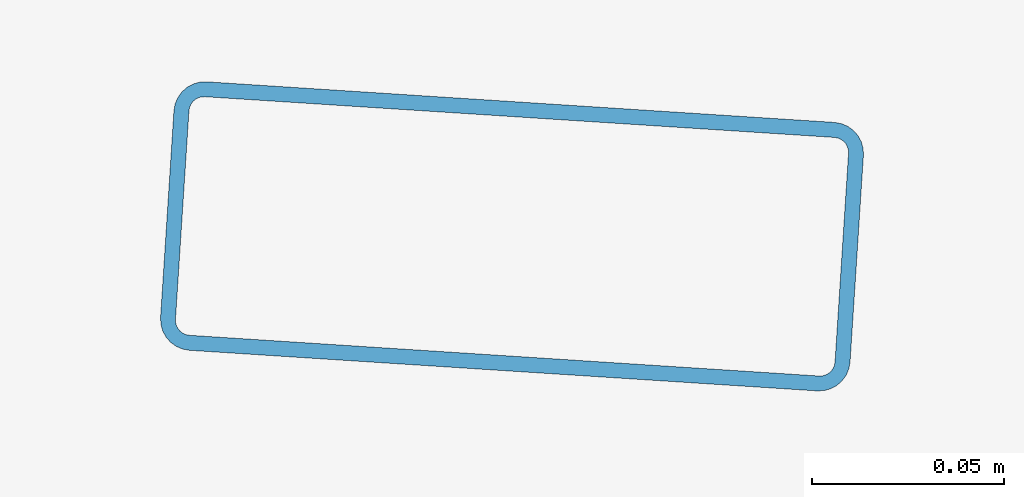
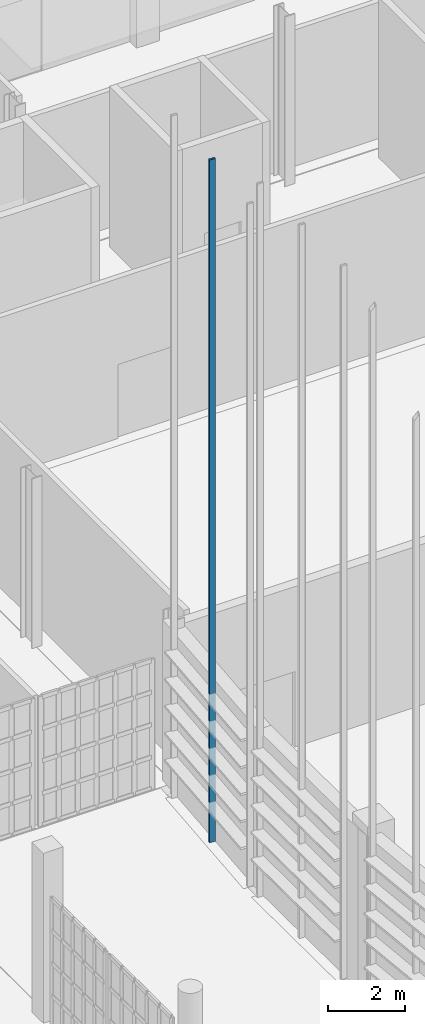
# One storey, part 96 of 372: 1 member.
"""IFC4 building model written with IfcOpenShell, lengths in metres."""

import ifcopenshell
import ifcopenshell.guid

model = None  # the IFC model being written
_history = None  # IfcOwnerHistory: only IFC2X3 demands one
_inside = {}  # id of a spatial element -> (the spatial element, [elements in it])
_under = {}  # id of a project, library or spatial element -> (it, [spatial elements below it])
_declared = {}  # id of a project -> (the project, [libraries it declares])
_typed = {}  # id of a type object -> (the type object, [elements of that type])
_made_of = {}  # id of a material, layer set ... -> (it, [elements and type objects made of it])


def new_model(schema):
    """Start an empty IFC model of exactly this schema.

    Asked for "IFC4X3", IfcOpenShell would pick the latest addendum, in which some entities
    have other attributes; the version numbers below select the first issue.
    IFC2X3 requires an IfcOwnerHistory on every rooted entity: one is made here for all.
    """
    global model, _history
    if schema == "IFC4X3":
        model = ifcopenshell.file(schema_version=(4, 3, 0, 0))
    else:
        model = ifcopenshell.file(schema=schema)
    _inside.clear()
    _under.clear()
    _declared.clear()
    _typed.clear()
    _made_of.clear()
    _history = None
    if model.schema == "IFC2X3":
        org = make("IfcOrganization", Name="unknown")
        user = make(
            "IfcPersonAndOrganization",
            ThePerson=make("IfcPerson", FamilyName="unknown"),
            TheOrganization=org,
        )
        app = make(
            "IfcApplication",
            ApplicationDeveloper=org,
            Version="unknown",
            ApplicationFullName="unknown",
            ApplicationIdentifier="unknown",
        )
        _history = make(
            "IfcOwnerHistory",
            OwningUser=user,
            OwningApplication=app,
            ChangeAction="ADDED",
            CreationDate=0,
        )
    return model


def make(cls, **values):
    """One entity of the class cls with the attributes given. An attribute that is None is left unset."""
    return model.create_entity(
        cls, **{name: value for name, value in values.items() if value is not None}
    )


def rooted(cls, **values):
    """An entity with a GlobalId (a new one), such as an element, a storey or a relation."""
    return make(cls, GlobalId=ifcopenshell.guid.new(), OwnerHistory=_history, **values)


def si_unit(unit_type, name, prefix=None):
    """IfcSIUnit, for example si_unit("LENGTHUNIT", "METRE", prefix="MILLI")."""
    return make("IfcSIUnit", UnitType=unit_type, Prefix=prefix, Name=name)


def assignment(units):
    """IfcUnitAssignment: the units of a project."""
    return None if units is None else make("IfcUnitAssignment", Units=units)


def point(xyz):
    """IfcCartesianPoint."""
    return None if xyz is None else make("IfcCartesianPoint", Coordinates=xyz)


def direction(xyz):
    """IfcDirection."""
    return None if xyz is None else make("IfcDirection", DirectionRatios=xyz)


def frame(location, z_axis=None, x_axis=None):
    """IfcAxis2Placement3D, a coordinate frame: its origin and axes. An axis left out is left unset."""
    return make(
        "IfcAxis2Placement3D",
        Location=point(location),
        Axis=direction(z_axis),
        RefDirection=direction(x_axis),
    )


def frame_2d(location, x_axis=None):
    """IfcAxis2Placement2D, a coordinate frame in the plane: its origin and x axis."""
    return make(
        "IfcAxis2Placement2D", Location=point(location), RefDirection=direction(x_axis)
    )


def origin():
    """The frame at (0, 0, 0) with its axes left unset."""
    return frame((0.0, 0.0, 0.0))


def origin_2d():
    """The frame at (0, 0) in the plane with its x axis left unset."""
    return frame_2d((0.0, 0.0))


def place(relative_to, where):
    """IfcLocalPlacement: puts the frame where relative to a parent placement (None: the world)."""
    return make(
        "IfcLocalPlacement", PlacementRelTo=relative_to, RelativePlacement=where
    )


def context(
    kind, dimensions, precision=None, world=None, true_north=None, identifier=None
):
    """IfcGeometricRepresentationContext, for example the 3D "Model" context."""
    return make(
        "IfcGeometricRepresentationContext",
        ContextIdentifier=identifier,
        ContextType=kind,
        CoordinateSpaceDimension=dimensions,
        Precision=precision,
        WorldCoordinateSystem=world,
        TrueNorth=true_north,
    )


def subcontext(parent, identifier, kind, view, scale=None):
    """IfcGeometricRepresentationSubContext, for example "Body" below "Model"."""
    return make(
        "IfcGeometricRepresentationSubContext",
        ContextIdentifier=identifier,
        ContextType=kind,
        ParentContext=parent,
        TargetScale=scale,
        TargetView=view,
    )


def project(units=None, contexts=None):
    """IfcProject with its units and contexts."""
    return rooted(
        "IfcProject",
        Name="project",
        RepresentationContexts=contexts,
        UnitsInContext=assignment(units),
    )


def spatial(cls, under=None, at=None, **own):
    """A site, building, storey or space (cls), placed at a placement, below another one or the project."""
    s = rooted(cls, ObjectPlacement=at, **own)
    if under is not None:
        _under.setdefault(under.id(), (under, []))[1].append(s)
    return s


def profile(cls, at=None, kind="AREA", **sizes):
    """A parametric profile (cls). Its sizes go by their IFC names, for example OverallWidth=200.0."""
    return make(cls, ProfileType=kind, Position=at, **sizes)


def hollow_rectangle(**sizes):
    """IfcRectangleHollowProfileDef."""
    return profile("IfcRectangleHollowProfileDef", **sizes)


def extrude(swept, where, along, depth):
    """IfcExtrudedAreaSolid: the profile swept, set in the frame where, extruded along a direction by depth."""
    return make(
        "IfcExtrudedAreaSolid",
        SweptArea=swept,
        Position=where,
        ExtrudedDirection=direction(along),
        Depth=depth,
    )


def shape(context_of_items, identifier, shape_type, items):
    """IfcShapeRepresentation: the items that make up one representation, for example the "Body"."""
    return make(
        "IfcShapeRepresentation",
        ContextOfItems=context_of_items,
        RepresentationIdentifier=identifier,
        RepresentationType=shape_type,
        Items=items,
    )


def material(Name=None, Category=None):
    """IfcMaterial."""
    return make("IfcMaterial", Name=Name, Category=Category)


def material_profile(
    of_material, cross_section, Name=None, Category=None, Priority=None
):
    """IfcMaterialProfile: a cross section and its material."""
    return make(
        "IfcMaterialProfile",
        Name=Name,
        Material=of_material,
        Profile=cross_section,
        Priority=Priority,
        Category=Category,
    )


def profile_set(profiles, Name=None, composite=None):
    """IfcMaterialProfileSet."""
    return make(
        "IfcMaterialProfileSet",
        Name=Name,
        MaterialProfiles=profiles,
        CompositeProfile=composite,
    )


def made_of(thing, what):
    """Note that an element or type object is made of a material, layer set ...; save() writes the relation."""
    if what is not None:
        _made_of.setdefault(what.id(), (what, []))[1].append(thing)
    return thing


def type_object(cls, material=None, **own):
    """A type object (cls), such as IfcWallType, which elements share."""
    return made_of(rooted(cls, **own), material)


def element(
    cls,
    number,
    at=None,
    inside=None,
    cuts=None,
    type_object=None,
    material=None,
    context=None,
    identifier="Body",
    shape_type=None,
    held_by="IfcProductDefinitionShape",
    body=None,
    shapes=None,
    **own,
):
    """One element of the class cls, such as IfcWall. Its Tag is "e" and its number.

    at: its placement. inside: the storey or other place that contains it. cuts: it is an
    opening in that element (IfcRelVoidsElement). A single representation is given by context,
    identifier, shape_type and body (its items); several are given by shapes. held_by: the class
    of the entity that holds the representations. save() writes the other relations.
    """
    e = rooted(cls, Tag="e%d" % number, ObjectPlacement=at, **own)
    if body is not None:
        shapes = [shape(context, identifier, shape_type, body)]
    if shapes is not None:
        e.Representation = make(held_by, Representations=shapes)
    if inside is not None:
        _inside.setdefault(inside.id(), (inside, []))[1].append(e)
    if cuts is not None:
        rooted(
            "IfcRelVoidsElement", RelatingBuildingElement=cuts, RelatedOpeningElement=e
        )
    if type_object is not None:
        _typed.setdefault(type_object.id(), (type_object, []))[1].append(e)
    return made_of(e, material)


def aggregate(whole, parts):
    """IfcRelAggregates: a whole, such as a stair, and the parts it consists of."""
    return rooted("IfcRelAggregates", RelatingObject=whole, RelatedObjects=parts)


def save(model, path):
    """Write the relations noted so far, then the file.

    IfcRelAggregates (storeys below a building ...), IfcRelContainedInSpatialStructure (elements
    in a storey), IfcRelDefinesByType, IfcRelAssociatesMaterial and IfcRelDeclares: one each for
    every whole, place, type object, material and project.
    """
    for whole, parts in _under.values():
        aggregate(whole, parts)
    for where, things in _inside.values():
        rooted(
            "IfcRelContainedInSpatialStructure",
            RelatedElements=things,
            RelatingStructure=where,
        )
    for kind, things in _typed.values():
        rooted("IfcRelDefinesByType", RelatedObjects=things, RelatingType=kind)
    for what, things in _made_of.values():
        rooted("IfcRelAssociatesMaterial", RelatedObjects=things, RelatingMaterial=what)
    for by, libraries in _declared.values():
        rooted("IfcRelDeclares", RelatingContext=by, RelatedDefinitions=libraries)
    model.write(path)


model = new_model("IFC4")

# Units and contexts
model_context = context("Model", 3, precision=1e-05, world=origin(), true_north=direction((0.0, 1.0)))
body_context = subcontext(model_context, "Body", "Model", "MODEL_VIEW")
ifc_project = project(units=[si_unit("LENGTHUNIT", "METRE"), si_unit("AREAUNIT", "SQUARE_METRE"), si_unit("VOLUMEUNIT", "CUBIC_METRE"), si_unit("PLANEANGLEUNIT", "RADIAN"), si_unit("MASSUNIT", "GRAM", prefix="KILO")], contexts=[model_context])

# Site, building, storey
site_placement = place(None, origin())
site = spatial("IfcSite", under=ifc_project, at=site_placement, CompositionType="ELEMENT")
building_placement = place(site_placement, origin())
building = spatial("IfcBuilding", under=site, at=building_placement, Name="Kaelora Sail Theatre", CompositionType="ELEMENT")
storey_placement = place(building_placement, origin())
storey = spatial("IfcBuildingStorey", under=building, at=storey_placement, Name="L00", CompositionType="ELEMENT", Elevation=0.0)

# Member
ifc_material = material(Name="Anodised aluminium 6063-T6", Category="aluminium")
ifc_material_profile = material_profile(ifc_material, hollow_rectangle(XDim=0.070068359375, YDim=0.179931640625, WallThickness=0.00390625, InnerFilletRadius=0.00390625, OuterFilletRadius=0.008056640625, at=origin_2d()), Name="ALU-MULL 70x180x4")
ifc_profile_set = profile_set([ifc_material_profile], Name="Anodised aluminium 6063-T6")
member_type = type_object("IfcMemberType", Name="ARC-MEM-PST-160", PredefinedType="POST", material=ifc_profile_set)
member_placement = place(storey_placement, frame((25.339599609375, 58.239501953125, 0.0), z_axis=(0.0, 0.0, 1.0), x_axis=(0.064532308253, 0.997915618272, 0.0)))
element("IfcMember", 1, at=member_placement, inside=storey, type_object=member_type, Name="Main Theatre Sail Drum solar louvre vertical support post C22-2", PredefinedType="POST", context=body_context, shape_type="SweptSolid", body=[
    extrude(hollow_rectangle(XDim=0.070068359375, YDim=0.179931640625, WallThickness=0.00390625, InnerFilletRadius=0.00390625, OuterFilletRadius=0.008056640625, at=origin_2d()), origin(), (0.0, 0.0, 1.0), 21.716796875),
])

save(model, "model.ifc")
